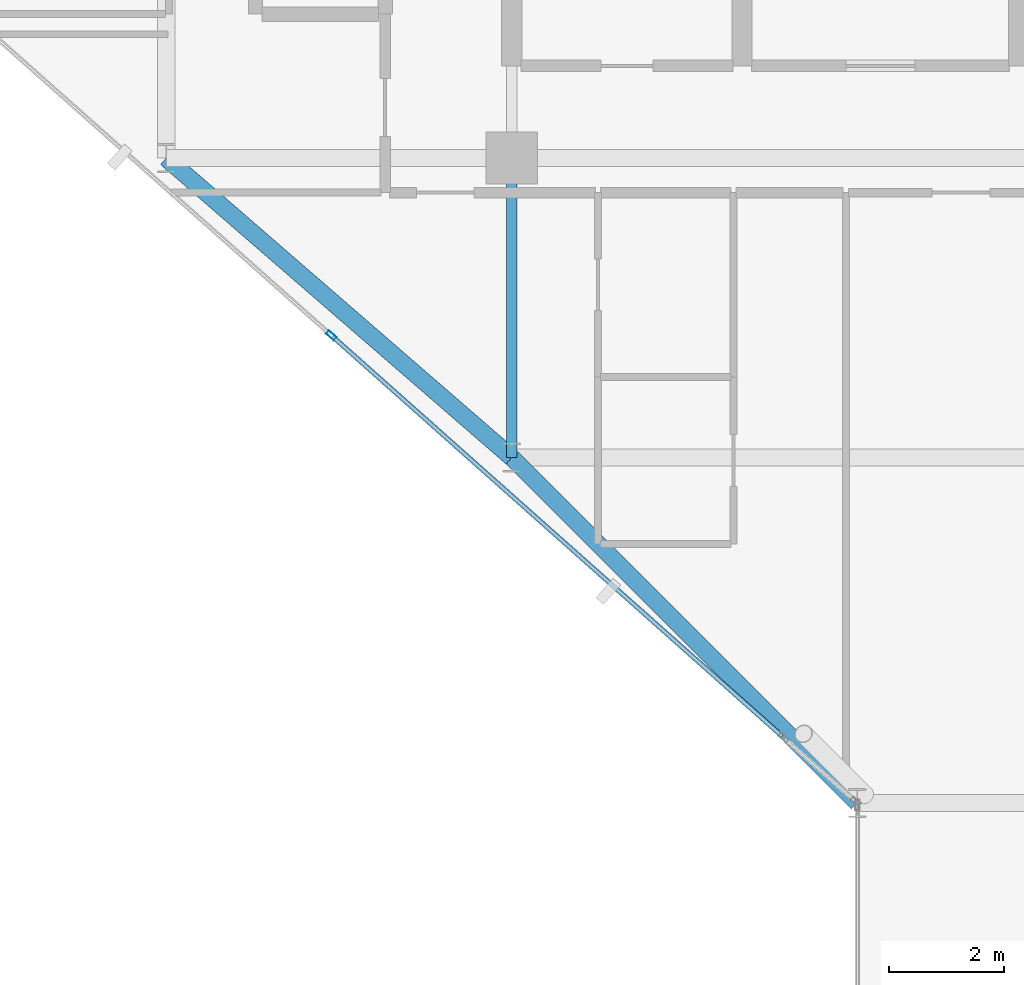
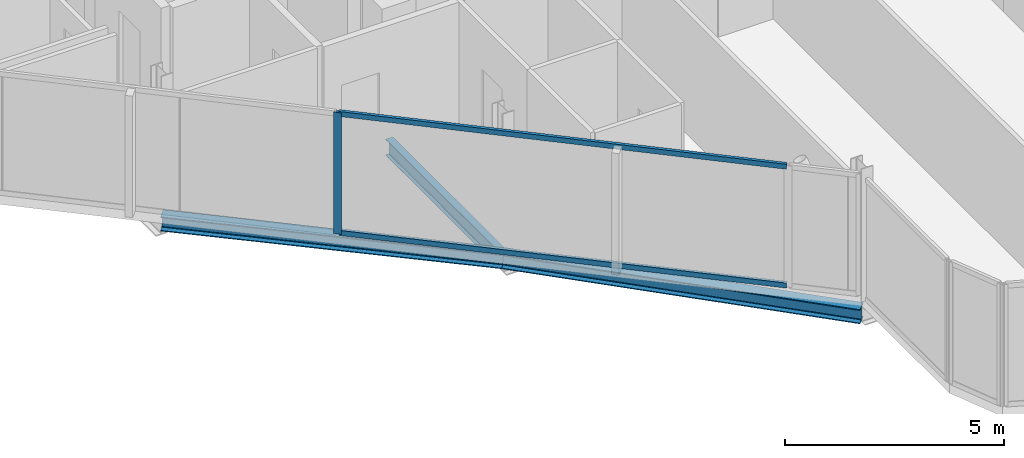
# One storey, part 4 of 31: 3 beams, 3 members, 1 element without a shape of its own.
"""IFC4 building model written with IfcOpenShell, lengths in metres."""

import ifcopenshell
import ifcopenshell.guid

model = None  # the IFC model being written
_history = None  # IfcOwnerHistory: only IFC2X3 demands one
_inside = {}  # id of a spatial element -> (the spatial element, [elements in it])
_under = {}  # id of a project, library or spatial element -> (it, [spatial elements below it])
_declared = {}  # id of a project -> (the project, [libraries it declares])
_typed = {}  # id of a type object -> (the type object, [elements of that type])
_made_of = {}  # id of a material, layer set ... -> (it, [elements and type objects made of it])


def new_model(schema):
    """Start an empty IFC model of exactly this schema.

    Asked for "IFC4X3", IfcOpenShell would pick the latest addendum, in which some entities
    have other attributes; the version numbers below select the first issue.
    IFC2X3 requires an IfcOwnerHistory on every rooted entity: one is made here for all.
    """
    global model, _history
    if schema == "IFC4X3":
        model = ifcopenshell.file(schema_version=(4, 3, 0, 0))
    else:
        model = ifcopenshell.file(schema=schema)
    _inside.clear()
    _under.clear()
    _declared.clear()
    _typed.clear()
    _made_of.clear()
    _history = None
    if model.schema == "IFC2X3":
        org = make("IfcOrganization", Name="unknown")
        user = make(
            "IfcPersonAndOrganization",
            ThePerson=make("IfcPerson", FamilyName="unknown"),
            TheOrganization=org,
        )
        app = make(
            "IfcApplication",
            ApplicationDeveloper=org,
            Version="unknown",
            ApplicationFullName="unknown",
            ApplicationIdentifier="unknown",
        )
        _history = make(
            "IfcOwnerHistory",
            OwningUser=user,
            OwningApplication=app,
            ChangeAction="ADDED",
            CreationDate=0,
        )
    return model


def make(cls, **values):
    """One entity of the class cls with the attributes given. An attribute that is None is left unset."""
    return model.create_entity(
        cls, **{name: value for name, value in values.items() if value is not None}
    )


def rooted(cls, **values):
    """An entity with a GlobalId (a new one), such as an element, a storey or a relation."""
    return make(cls, GlobalId=ifcopenshell.guid.new(), OwnerHistory=_history, **values)


def si_unit(unit_type, name, prefix=None):
    """IfcSIUnit, for example si_unit("LENGTHUNIT", "METRE", prefix="MILLI")."""
    return make("IfcSIUnit", UnitType=unit_type, Prefix=prefix, Name=name)


def assignment(units):
    """IfcUnitAssignment: the units of a project."""
    return None if units is None else make("IfcUnitAssignment", Units=units)


def point(xyz):
    """IfcCartesianPoint."""
    return None if xyz is None else make("IfcCartesianPoint", Coordinates=xyz)


def direction(xyz):
    """IfcDirection."""
    return None if xyz is None else make("IfcDirection", DirectionRatios=xyz)


def frame(location, z_axis=None, x_axis=None):
    """IfcAxis2Placement3D, a coordinate frame: its origin and axes. An axis left out is left unset."""
    return make(
        "IfcAxis2Placement3D",
        Location=point(location),
        Axis=direction(z_axis),
        RefDirection=direction(x_axis),
    )


def frame_2d(location, x_axis=None):
    """IfcAxis2Placement2D, a coordinate frame in the plane: its origin and x axis."""
    return make(
        "IfcAxis2Placement2D", Location=point(location), RefDirection=direction(x_axis)
    )


def origin():
    """The frame at (0, 0, 0) with its axes left unset."""
    return frame((0.0, 0.0, 0.0))


def origin_2d():
    """The frame at (0, 0) in the plane with its x axis left unset."""
    return frame_2d((0.0, 0.0))


def place(relative_to, where):
    """IfcLocalPlacement: puts the frame where relative to a parent placement (None: the world)."""
    return make(
        "IfcLocalPlacement", PlacementRelTo=relative_to, RelativePlacement=where
    )


def context(
    kind, dimensions, precision=None, world=None, true_north=None, identifier=None
):
    """IfcGeometricRepresentationContext, for example the 3D "Model" context."""
    return make(
        "IfcGeometricRepresentationContext",
        ContextIdentifier=identifier,
        ContextType=kind,
        CoordinateSpaceDimension=dimensions,
        Precision=precision,
        WorldCoordinateSystem=world,
        TrueNorth=true_north,
    )


def subcontext(parent, identifier, kind, view, scale=None):
    """IfcGeometricRepresentationSubContext, for example "Body" below "Model"."""
    return make(
        "IfcGeometricRepresentationSubContext",
        ContextIdentifier=identifier,
        ContextType=kind,
        ParentContext=parent,
        TargetScale=scale,
        TargetView=view,
    )


def project(units=None, contexts=None):
    """IfcProject with its units and contexts."""
    return rooted(
        "IfcProject",
        Name="project",
        RepresentationContexts=contexts,
        UnitsInContext=assignment(units),
    )


def spatial(cls, under=None, at=None, **own):
    """A site, building, storey or space (cls), placed at a placement, below another one or the project."""
    s = rooted(cls, ObjectPlacement=at, **own)
    if under is not None:
        _under.setdefault(under.id(), (under, []))[1].append(s)
    return s


def profile(cls, at=None, kind="AREA", **sizes):
    """A parametric profile (cls). Its sizes go by their IFC names, for example OverallWidth=200.0."""
    return make(cls, ProfileType=kind, Position=at, **sizes)


def hollow_rectangle(**sizes):
    """IfcRectangleHollowProfileDef."""
    return profile("IfcRectangleHollowProfileDef", **sizes)


def i_section(**sizes):
    """IfcIShapeProfileDef."""
    return profile("IfcIShapeProfileDef", **sizes)


def extrude(swept, where, along, depth):
    """IfcExtrudedAreaSolid: the profile swept, set in the frame where, extruded along a direction by depth."""
    return make(
        "IfcExtrudedAreaSolid",
        SweptArea=swept,
        Position=where,
        ExtrudedDirection=direction(along),
        Depth=depth,
    )


def shape(context_of_items, identifier, shape_type, items):
    """IfcShapeRepresentation: the items that make up one representation, for example the "Body"."""
    return make(
        "IfcShapeRepresentation",
        ContextOfItems=context_of_items,
        RepresentationIdentifier=identifier,
        RepresentationType=shape_type,
        Items=items,
    )


def material(Name=None, Category=None):
    """IfcMaterial."""
    return make("IfcMaterial", Name=Name, Category=Category)


def layer(
    of_material, thickness, ventilated=None, Name=None, Category=None, Priority=None
):
    """IfcMaterialLayer: one layer of a wall or slab, of a material (None: an air gap)."""
    return make(
        "IfcMaterialLayer",
        Material=of_material,
        LayerThickness=thickness,
        IsVentilated=ventilated,
        Name=Name,
        Category=Category,
        Priority=Priority,
    )


def layer_set(layers, Name=None):
    """IfcMaterialLayerSet."""
    return make("IfcMaterialLayerSet", MaterialLayers=layers, LayerSetName=Name)


def material_profile(
    of_material, cross_section, Name=None, Category=None, Priority=None
):
    """IfcMaterialProfile: a cross section and its material."""
    return make(
        "IfcMaterialProfile",
        Name=Name,
        Material=of_material,
        Profile=cross_section,
        Priority=Priority,
        Category=Category,
    )


def profile_set(profiles, Name=None, composite=None):
    """IfcMaterialProfileSet."""
    return make(
        "IfcMaterialProfileSet",
        Name=Name,
        MaterialProfiles=profiles,
        CompositeProfile=composite,
    )


def made_of(thing, what):
    """Note that an element or type object is made of a material, layer set ...; save() writes the relation."""
    if what is not None:
        _made_of.setdefault(what.id(), (what, []))[1].append(thing)
    return thing


def type_object(cls, material=None, **own):
    """A type object (cls), such as IfcWallType, which elements share."""
    return made_of(rooted(cls, **own), material)


def element(
    cls,
    number,
    at=None,
    inside=None,
    cuts=None,
    type_object=None,
    material=None,
    context=None,
    identifier="Body",
    shape_type=None,
    held_by="IfcProductDefinitionShape",
    body=None,
    shapes=None,
    **own,
):
    """One element of the class cls, such as IfcWall. Its Tag is "e" and its number.

    at: its placement. inside: the storey or other place that contains it. cuts: it is an
    opening in that element (IfcRelVoidsElement). A single representation is given by context,
    identifier, shape_type and body (its items); several are given by shapes. held_by: the class
    of the entity that holds the representations. save() writes the other relations.
    """
    e = rooted(cls, Tag="e%d" % number, ObjectPlacement=at, **own)
    if body is not None:
        shapes = [shape(context, identifier, shape_type, body)]
    if shapes is not None:
        e.Representation = make(held_by, Representations=shapes)
    if inside is not None:
        _inside.setdefault(inside.id(), (inside, []))[1].append(e)
    if cuts is not None:
        rooted(
            "IfcRelVoidsElement", RelatingBuildingElement=cuts, RelatedOpeningElement=e
        )
    if type_object is not None:
        _typed.setdefault(type_object.id(), (type_object, []))[1].append(e)
    return made_of(e, material)


def aggregate(whole, parts):
    """IfcRelAggregates: a whole, such as a stair, and the parts it consists of."""
    return rooted("IfcRelAggregates", RelatingObject=whole, RelatedObjects=parts)


def save(model, path):
    """Write the relations noted so far, then the file.

    IfcRelAggregates (storeys below a building ...), IfcRelContainedInSpatialStructure (elements
    in a storey), IfcRelDefinesByType, IfcRelAssociatesMaterial and IfcRelDeclares: one each for
    every whole, place, type object, material and project.
    """
    for whole, parts in _under.values():
        aggregate(whole, parts)
    for where, things in _inside.values():
        rooted(
            "IfcRelContainedInSpatialStructure",
            RelatedElements=things,
            RelatingStructure=where,
        )
    for kind, things in _typed.values():
        rooted("IfcRelDefinesByType", RelatedObjects=things, RelatingType=kind)
    for what, things in _made_of.values():
        rooted("IfcRelAssociatesMaterial", RelatedObjects=things, RelatingMaterial=what)
    for by, libraries in _declared.values():
        rooted("IfcRelDeclares", RelatingContext=by, RelatedDefinitions=libraries)
    model.write(path)


model = new_model("IFC4")

# Units and contexts
model_context = context("Model", 3, precision=1e-05, world=origin(), true_north=direction((0.0, 1.0)))
body_context = subcontext(model_context, "Body", "Model", "MODEL_VIEW")
ifc_project = project(units=[si_unit("LENGTHUNIT", "METRE"), si_unit("AREAUNIT", "SQUARE_METRE"), si_unit("VOLUMEUNIT", "CUBIC_METRE"), si_unit("PLANEANGLEUNIT", "RADIAN"), si_unit("MASSUNIT", "GRAM", prefix="KILO")], contexts=[model_context])

# Site, building, storey
site_placement = place(None, origin())
site = spatial("IfcSite", under=ifc_project, at=site_placement, CompositionType="ELEMENT")
building_placement = place(site_placement, origin())
building = spatial("IfcBuilding", under=site, at=building_placement, Name="Keshet Zoharim Tower", CompositionType="ELEMENT")
storey_placement = place(building_placement, frame((0.0, 0.0, 140.89990234375)))
storey = spatial("IfcBuildingStorey", under=building, at=storey_placement, Name="L34", CompositionType="ELEMENT", Elevation=140.89990234375)

# Beams
ifc_material_1 = material(Name="Steel S355", Category="steel")
ifc_material_profile_1 = material_profile(ifc_material_1, i_section(OverallWidth=0.18994140625, OverallDepth=0.449951171875, WebThickness=0.009521484375, FlangeThickness=0.0146484375, FilletRadius=0.02099609375, at=origin_2d()), Name="IPE450")
ifc_profile_set_1 = profile_set([ifc_material_profile_1], Name="Steel S355")
beam_type_1 = type_object("IfcBeamType", Name="BM-PRI-IP450", PredefinedType="BEAM", material=ifc_profile_set_1)
beam_1_placement = place(storey_placement, frame((15.0, 12.699951171875, -0.539794921875), z_axis=(0.0, 1.0, 0.0), x_axis=(-1.0, 0.0, 0.0)))
element("IfcBeam", 1, at=beam_1_placement, inside=storey, type_object=beam_type_1, Name="L34 Primary Girder Y-002", PredefinedType="BEAM", context=body_context, shape_type="SweptSolid", body=[
    extrude(i_section(OverallWidth=0.18994140625, OverallDepth=0.449951171875, WebThickness=0.009521484375, FlangeThickness=0.0146484375, FilletRadius=0.02099609375, at=origin_2d()), origin(), (0.0, 0.0, 1.0), 5.199951171875),
])
ifc_material_profile_2 = material_profile(ifc_material_1, i_section(OverallWidth=0.300048828125, OverallDepth=0.39990234375, WebThickness=0.013427734375, FlangeThickness=0.02392578125, FilletRadius=0.027099609375, at=origin_2d()), Name="HEB400")
ifc_profile_set_2 = profile_set([ifc_material_profile_2], Name="Steel S355")
beam_type_2 = type_object("IfcBeamType", Name="BM-SPN-HB400", PredefinedType="SPANDREL", material=ifc_profile_set_2)
beam_2_placement = place(storey_placement, frame((21.0, 6.699951171875, -0.514892578125), z_axis=(-0.707106781187, 0.707106781187, 0.0), x_axis=(-0.707106781187, -0.707106781187, 0.0)))
element("IfcBeam", 2, at=beam_2_placement, inside=storey, type_object=beam_type_2, Name="L34 Perimeter Spandrel Beam 01", PredefinedType="SPANDREL", context=body_context, shape_type="SweptSolid", body=[
    extrude(i_section(OverallWidth=0.300048828125, OverallDepth=0.39990234375, WebThickness=0.013427734375, FlangeThickness=0.02392578125, FilletRadius=0.027099609375, at=origin_2d()), origin(), (0.0, 0.0, 1.0), 8.4853515625),
])
beam_3_placement = place(storey_placement, frame((9.0, 17.89990234375, -0.514892578125), z_axis=(0.755692126483, -0.654927026447, 0.0), x_axis=(0.654927026447, 0.755692126483, 0.0)))
element("IfcBeam", 3, at=beam_3_placement, inside=storey, type_object=beam_type_2, Name="L34 Perimeter Spandrel Beam 02", PredefinedType="SPANDREL", context=body_context, shape_type="SweptSolid", body=[
    extrude(i_section(OverallWidth=0.300048828125, OverallDepth=0.39990234375, WebThickness=0.013427734375, FlangeThickness=0.02392578125, FilletRadius=0.027099609375, at=origin_2d()), origin(), (0.0, 0.0, 1.0), 7.939697265625),
])

# Curtain wall, members
ifc_material_2 = material(Name="Aluminium 6063-T6", Category="aluminium")
ifc_layer = layer(ifc_material_2, 0.159912109375)
ifc_layer_set = layer_set([ifc_layer], Name="Aluminium 6063-T6")
curtain_wall_type = type_object("IfcCurtainWallType", Name="CW-SYS-03", PredefinedType="NOTDEFINED", material=ifc_layer_set)
curtain_wall_placement = place(storey_placement, origin())
curtain_wall = element("IfcCurtainWall", 4, at=curtain_wall_placement, inside=storey, type_object=curtain_wall_type, Name="L34 Unitised Curtain Wall 07 Part 2", PredefinedType="NOTDEFINED")
ifc_material_profile_3 = material_profile(ifc_material_2, hollow_rectangle(XDim=0.080078125, YDim=0.179931640625, WallThickness=0.00439453125, at=origin_2d()), Name="MUL-80x180")
ifc_profile_set_3 = profile_set([ifc_material_profile_3], Name="Aluminium 6063-T6")
member_type_1 = type_object("IfcMemberType", Name="CWM-M18", PredefinedType="MULLION", material=ifc_profile_set_3)
member_1_placement = place(storey_placement, frame((11.864990234375, 14.820068359375, 0.0), z_axis=(0.0, 0.0, 1.0), x_axis=(-0.664363542589, -0.747409582009, 0.0)))
member_1 = element("IfcMember", 5, at=member_1_placement, type_object=member_type_1, Name="CW-03 mullion 2", PredefinedType="MULLION", context=body_context, shape_type="SweptSolid", body=[
    extrude(hollow_rectangle(XDim=0.080078125, YDim=0.179931640625, WallThickness=0.00439453125, at=origin_2d()), origin(), (0.0, 0.0, 1.0), 3.385009765625),
])
ifc_material_profile_4 = material_profile(ifc_material_2, hollow_rectangle(XDim=0.080078125, YDim=0.139892578125, WallThickness=0.00390625, at=origin_2d()), Name="TRN-80x140")
ifc_profile_set_4 = profile_set([ifc_material_profile_4], Name="Aluminium 6063-T6")
member_type_2 = type_object("IfcMemberType", Name="CWT-T14", PredefinedType="USERDEFINED", material=ifc_profile_set_4)
member_2_placement = place(storey_placement, frame((19.69482421875, 7.860107421875, 0.03515625), z_axis=(-0.747402868264, 0.664371095482, 0.0), x_axis=(-0.664371095482, -0.747402868264, 0.0)))
member_2 = element("IfcMember", 6, at=member_2_placement, type_object=member_type_2, Name="CW-03 transom 1.1", ObjectType="TRANSOM", PredefinedType="USERDEFINED", context=body_context, shape_type="SweptSolid", body=[
    extrude(hollow_rectangle(XDim=0.080078125, YDim=0.139892578125, WallThickness=0.00390625, at=origin_2d()), origin(), (0.0, 0.0, 1.0), 10.441162109375),
])
member_3_placement = place(storey_placement, frame((19.69482421875, 7.860107421875, 3.35009765625), z_axis=(-0.747402868264, 0.664371095482, 0.0), x_axis=(-0.664371095482, -0.747402868264, 0.0)))
member_3 = element("IfcMember", 7, at=member_3_placement, type_object=member_type_2, Name="CW-03 transom 1.2", ObjectType="TRANSOM", PredefinedType="USERDEFINED", context=body_context, shape_type="SweptSolid", body=[
    extrude(hollow_rectangle(XDim=0.080078125, YDim=0.139892578125, WallThickness=0.00390625, at=origin_2d()), origin(), (0.0, 0.0, 1.0), 10.441162109375),
])
aggregate(curtain_wall, [member_1, member_2, member_3])

save(model, "model.ifc")
